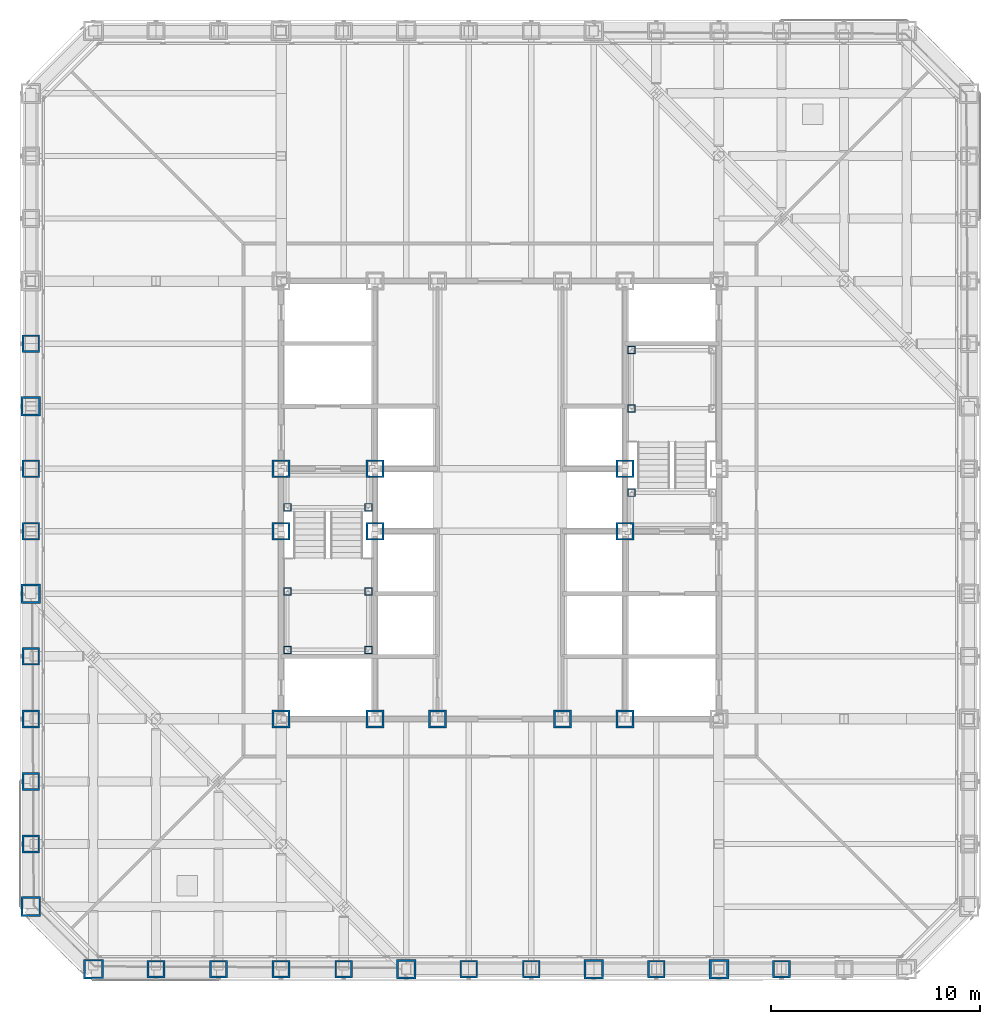
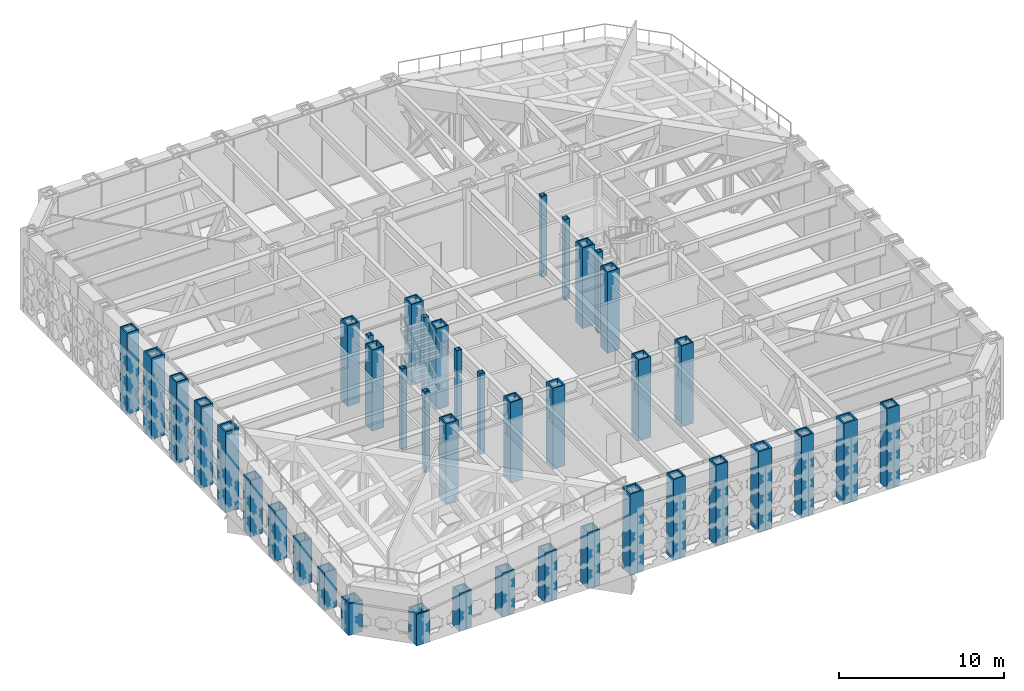
# One storey, part 1 of 31: 42 columns.
"""IFC4 building model written with IfcOpenShell, lengths in metres."""

from ifc_helpers import new_model, si_unit, direction, frame, origin, origin_2d, place, context, subcontext, project, spatial, hollow_rectangle, extrude, material, material_profile, profile_set, type_object, element, save


model = new_model("IFC4")

# Units and contexts
model_context = context("Model", 3, precision=1e-05, world=origin(), true_north=direction((0.0, 1.0)))
body_context = subcontext(model_context, "Body", "Model", "MODEL_VIEW")
ifc_project = project(units=[si_unit("LENGTHUNIT", "METRE"), si_unit("AREAUNIT", "SQUARE_METRE"), si_unit("VOLUMEUNIT", "CUBIC_METRE"), si_unit("PLANEANGLEUNIT", "RADIAN"), si_unit("MASSUNIT", "GRAM", prefix="KILO")], contexts=[model_context])

# Site, building, storey
site_placement = place(None, origin())
site = spatial("IfcSite", under=ifc_project, at=site_placement, CompositionType="ELEMENT")
building_placement = place(site_placement, origin())
building = spatial("IfcBuilding", under=site, at=building_placement, Name="Chuquiago Exchange Tower", CompositionType="ELEMENT")
storey_placement = place(building_placement, frame((0.0, 0.0, 96.300048828125)))
storey = spatial("IfcBuildingStorey", under=building, at=storey_placement, Name="L20", CompositionType="ELEMENT", Elevation=96.300048828125)

# Columns
ifc_material_1 = material(Name="Steel ASTM A572 Grade 50", Category="steel")
ifc_material_profile_1 = material_profile(ifc_material_1, hollow_rectangle(XDim=0.85009765625, YDim=0.85009765625, WallThickness=0.0849609375, at=origin_2d()), Name="BOX850X850X85")
ifc_profile_set_1 = profile_set([ifc_material_profile_1], Name="Steel ASTM A572 Grade 50")
column_type_1 = type_object("IfcColumnType", Name="C6 BOX850X850X85", PredefinedType="COLUMN", material=ifc_profile_set_1)
column_1_placement = place(storey_placement, frame((6.0, 0.0, 0.0), z_axis=(0.0, 0.0, 1.0), x_axis=(0.0, -1.0, 0.0)))
element("IfcColumn", 1, at=column_1_placement, inside=storey, type_object=column_type_1, Name="COL-L20-6_0", PredefinedType="COLUMN", context=body_context, shape_type="SweptSolid", body=[
    extrude(hollow_rectangle(XDim=0.85009765625, YDim=0.85009765625, WallThickness=0.0849609375, at=origin_2d()), origin(), (0.0, 0.0, 1.0), 2.79638671875),
])
column_2_placement = place(storey_placement, frame((9.0, 0.0, 0.0), z_axis=(0.0, 0.0, 1.0), x_axis=(0.0, -1.0, 0.0)))
element("IfcColumn", 2, at=column_2_placement, inside=storey, type_object=column_type_1, Name="COL-L20-9_0", PredefinedType="COLUMN", context=body_context, shape_type="SweptSolid", body=[
    extrude(hollow_rectangle(XDim=0.85009765625, YDim=0.85009765625, WallThickness=0.0849609375, at=origin_2d()), origin(), (0.0, 0.0, 1.0), 3.247314453125),
])
column_3_placement = place(storey_placement, frame((12.0, 0.0, 0.0), z_axis=(0.0, 0.0, 1.0), x_axis=(0.0, -1.0, 0.0)))
element("IfcColumn", 3, at=column_3_placement, inside=storey, type_object=column_type_1, Name="COL-L20-12_0", PredefinedType="COLUMN", context=body_context, shape_type="SweptSolid", body=[
    extrude(hollow_rectangle(XDim=0.85009765625, YDim=0.85009765625, WallThickness=0.0849609375, at=origin_2d()), origin(), (0.0, 0.0, 1.0), 3.6982421875),
])
column_4_placement = place(storey_placement, frame((15.0, 0.0, 0.0), z_axis=(0.0, 0.0, 1.0), x_axis=(0.0, -1.0, 0.0)))
element("IfcColumn", 4, at=column_4_placement, inside=storey, type_object=column_type_1, Name="COL-L20-15_0", PredefinedType="COLUMN", context=body_context, shape_type="SweptSolid", body=[
    extrude(hollow_rectangle(XDim=0.85009765625, YDim=0.85009765625, WallThickness=0.0849609375, at=origin_2d()), origin(), (0.0, 0.0, 1.0), 4.149169921875),
])
for number, where, z_axis, x_axis, name in (
    (5, (21.0, 0.0, 0.0), (0.0, 0.0, 1.0), (0.0, -1.0, 0.0), "COL-L20-21_0"),
    (6, (24.0, 0.0, 0.0), (0.0, 0.0, 1.0), (0.0, -1.0, 0.0), "COL-L20-24_0"),
    (7, (30.0, 0.0, 0.0), (0.0, 0.0, 1.0), (0.0, -1.0, 0.0), "COL-L20-30_0"),
    (8, (36.0, 0.0, 0.0), (0.0, 0.0, 1.0), (0.0, -1.0, 0.0), "COL-L20-36_0"),
    (9, (0.0, 30.0, 0.0), (0.0, 0.0, 1.0), (-1.0, 0.0, 0.0), "COL-L20-0_30"),
    (10, (0.0, 24.0, 0.0), (0.0, 0.0, 1.0), (-1.0, 0.0, 0.0), "COL-L20-0_24"),
    (11, (0.0, 21.0, 0.0), (0.0, 0.0, 1.0), (-1.0, 0.0, 0.0), "COL-L20-0_21"),
):
    element("IfcColumn", number, at=place(storey_placement, frame(where, z_axis=z_axis, x_axis=x_axis)), inside=storey, type_object=column_type_1, Name=name, PredefinedType="COLUMN", context=body_context, shape_type="SweptSolid", body=[
        extrude(hollow_rectangle(XDim=0.85009765625, YDim=0.85009765625, WallThickness=0.0849609375, at=origin_2d()), origin(), (0.0, 0.0, 1.0), 6.0),
    ])
column_5_placement = place(storey_placement, frame((0.0, 15.0, 0.0), z_axis=(0.0, 0.0, 1.0), x_axis=(-1.0, 0.0, 0.0)))
element("IfcColumn", 12, at=column_5_placement, inside=storey, type_object=column_type_1, Name="COL-L20-0_15", PredefinedType="COLUMN", context=body_context, shape_type="SweptSolid", body=[
    extrude(hollow_rectangle(XDim=0.85009765625, YDim=0.85009765625, WallThickness=0.0849609375, at=origin_2d()), origin(), (0.0, 0.0, 1.0), 4.149169921875),
])
column_6_placement = place(storey_placement, frame((0.0, 12.0, 0.0), z_axis=(0.0, 0.0, 1.0), x_axis=(-1.0, 0.0, 0.0)))
element("IfcColumn", 13, at=column_6_placement, inside=storey, type_object=column_type_1, Name="COL-L20-0_12", PredefinedType="COLUMN", context=body_context, shape_type="SweptSolid", body=[
    extrude(hollow_rectangle(XDim=0.85009765625, YDim=0.85009765625, WallThickness=0.0849609375, at=origin_2d()), origin(), (0.0, 0.0, 1.0), 3.6982421875),
])
column_7_placement = place(storey_placement, frame((0.0, 9.0, 0.0), z_axis=(0.0, 0.0, 1.0), x_axis=(-1.0, 0.0, 0.0)))
element("IfcColumn", 14, at=column_7_placement, inside=storey, type_object=column_type_1, Name="COL-L20-0_9", PredefinedType="COLUMN", context=body_context, shape_type="SweptSolid", body=[
    extrude(hollow_rectangle(XDim=0.85009765625, YDim=0.85009765625, WallThickness=0.0849609375, at=origin_2d()), origin(), (0.0, 0.0, 1.0), 3.247314453125),
])
column_8_placement = place(storey_placement, frame((0.0, 6.0, 0.0), z_axis=(0.0, 0.0, 1.0), x_axis=(-1.0, 0.0, 0.0)))
element("IfcColumn", 15, at=column_8_placement, inside=storey, type_object=column_type_1, Name="COL-L20-0_6", PredefinedType="COLUMN", context=body_context, shape_type="SweptSolid", body=[
    extrude(hollow_rectangle(XDim=0.85009765625, YDim=0.85009765625, WallThickness=0.0849609375, at=origin_2d()), origin(), (0.0, 0.0, 1.0), 2.79638671875),
])
ifc_material_2 = material(Name="Steel ASTM A572 Grade 50", Category="steel")
ifc_material_profile_2 = material_profile(ifc_material_2, hollow_rectangle(XDim=0.85009765625, YDim=0.85009765625, WallThickness=0.0849609375, at=origin_2d()), Name="BOX850X850X85")
ifc_profile_set_2 = profile_set([ifc_material_profile_2], Name="Steel ASTM A572 Grade 50")
column_type_2 = type_object("IfcColumnType", Name="CC2 BOX850X850X85", PredefinedType="COLUMN", material=ifc_profile_set_2)
for number, where, z_axis, x_axis, name in (
    (16, (16.5, 12.0, 0.0), (0.0, 0.0, 1.0), (1.0, 0.0, 0.0), "CCOL-L20-16.5_12"),
    (17, (19.5, 12.0, 0.0), (0.0, 0.0, 1.0), (1.0, 0.0, 0.0), "CCOL-L20-19.5_12"),
    (18, (25.5, 12.0, 0.0), (0.0, 0.0, 1.0), (1.0, 0.0, 0.0), "CCOL-L20-25.5_12"),
    (19, (28.5, 12.0, 0.0), (0.0, 0.0, 1.0), (1.0, 0.0, 0.0), "CCOL-L20-28.5_12"),
    (20, (12.0, 21.0, 0.0), (0.0, 0.0, 1.0), (1.0, 0.0, 0.0), "CCOL-L20-12_21"),
    (21, (12.0, 24.0, 0.0), (0.0, 0.0, 1.0), (1.0, 0.0, 0.0), "CCOL-L20-12_24"),
    (22, (16.5, 21.0, 0.0), (0.0, 0.0, 1.0), (1.0, 0.0, 0.0), "CCOL-L20-16.5_21"),
    (23, (16.5, 24.0, 0.0), (0.0, 0.0, 1.0), (1.0, 0.0, 0.0), "CCOL-L20-16.5_24"),
    (24, (28.5, 21.0, 0.0), (0.0, 0.0, 1.0), (1.0, 0.0, 0.0), "CCOL-L20-28.5_21"),
    (25, (28.5, 24.0, 0.0), (0.0, 0.0, 1.0), (1.0, 0.0, 0.0), "CCOL-L20-28.5_24"),
):
    element("IfcColumn", number, at=place(storey_placement, frame(where, z_axis=z_axis, x_axis=x_axis)), inside=storey, type_object=column_type_2, Name=name, PredefinedType="COLUMN", context=body_context, shape_type="SweptSolid", body=[
        extrude(hollow_rectangle(XDim=0.85009765625, YDim=0.85009765625, WallThickness=0.0849609375, at=origin_2d()), origin(), (0.0, 0.0, 1.0), 6.0),
    ])
ifc_material_3 = material(Name="Steel ASTM A572 Grade 50", Category="steel")
ifc_material_profile_3 = material_profile(ifc_material_3, hollow_rectangle(XDim=0.85009765625, YDim=0.85009765625, WallThickness=0.0849609375, at=origin_2d()), Name="BOX850X850X85")
ifc_profile_set_3 = profile_set([ifc_material_profile_3], Name="Steel ASTM A572 Grade 50")
column_type_3 = type_object("IfcColumnType", Name="CC6 BOX850X850X85", PredefinedType="COLUMN", material=ifc_profile_set_3)
column_9_placement = place(storey_placement, frame((12.0, 12.0, 0.0), z_axis=(0.0, 0.0, 1.0), x_axis=(1.0, 0.0, 0.0)))
element("IfcColumn", 26, at=column_9_placement, inside=storey, type_object=column_type_3, Name="CCOL-L20-12_12", PredefinedType="COLUMN", context=body_context, shape_type="SweptSolid", body=[
    extrude(hollow_rectangle(XDim=0.85009765625, YDim=0.85009765625, WallThickness=0.0849609375, at=origin_2d()), origin(), (0.0, 0.0, 1.0), 6.0),
])
ifc_material_4 = material(Name="Steel ASTM A572 Grade 50", Category="steel")
ifc_material_profile_4 = material_profile(ifc_material_4, hollow_rectangle(XDim=0.949951171875, YDim=0.949951171875, WallThickness=0.094970703125, at=origin_2d()), Name="BOX950X950X95")
ifc_profile_set_4 = profile_set([ifc_material_profile_4], Name="Steel ASTM A572 Grade 50")
column_type_4 = type_object("IfcColumnType", Name="CN1 BOX950X950X95", PredefinedType="COLUMN", material=ifc_profile_set_4)
for number, where, z_axis, x_axis, name in (
    (27, (3.0, 0.0, 0.0), (0.0, 0.0, 1.0), (0.0, -1.0, 0.0), "COL-L20-3_0"),
    (28, (0.0, 3.0, 0.0), (0.0, 0.0, 1.0), (-1.0, 0.0, 0.0), "COL-L20-0_3"),
):
    element("IfcColumn", number, at=place(storey_placement, frame(where, z_axis=z_axis, x_axis=x_axis)), inside=storey, type_object=column_type_4, Name=name, PredefinedType="COLUMN", context=body_context, shape_type="SweptSolid", body=[
        extrude(hollow_rectangle(XDim=0.949951171875, YDim=0.949951171875, WallThickness=0.094970703125, at=origin_2d()), origin(), (0.0, 0.0, 1.0), 2.345458984375),
    ])
ifc_material_5 = material(Name="Steel ASTM A572 Grade 42", Category="steel")
ifc_material_profile_5 = material_profile(ifc_material_5, hollow_rectangle(XDim=0.949951171875, YDim=0.949951171875, WallThickness=0.110107421875, at=origin_2d()), Name="BOX950X950X110")
ifc_profile_set_5 = profile_set([ifc_material_profile_5], Name="Steel ASTM A572 Grade 42")
column_type_5 = type_object("IfcColumnType", Name="CT1 BOX950X950X110", PredefinedType="COLUMN", material=ifc_profile_set_5)
for number, where, z_axis, x_axis, name in (
    (29, (18.0, 0.0, 0.0), (0.0, 0.0, 1.0), (0.0, -1.0, 0.0), "COL-L20-18_0"),
    (30, (27.0, 0.0, 0.0), (0.0, 0.0, 1.0), (0.0, -1.0, 0.0), "COL-L20-27_0"),
    (31, (33.0, 0.0, 0.0), (0.0, 0.0, 1.0), (0.0, -1.0, 0.0), "COL-L20-33_0"),
    (32, (0.0, 27.0, 0.0), (0.0, 0.0, 1.0), (-1.0, 0.0, 0.0), "COL-L20-0_27"),
    (33, (0.0, 18.0, 0.0), (0.0, 0.0, 1.0), (-1.0, 0.0, 0.0), "COL-L20-0_18"),
):
    element("IfcColumn", number, at=place(storey_placement, frame(where, z_axis=z_axis, x_axis=x_axis)), inside=storey, type_object=column_type_5, Name=name, PredefinedType="COLUMN", context=body_context, shape_type="SweptSolid", body=[
        extrude(hollow_rectangle(XDim=0.949951171875, YDim=0.949951171875, WallThickness=0.110107421875, at=origin_2d()), origin(), (0.0, 0.0, 1.0), 6.0),
    ])
ifc_material_6 = material(Name="Steel ASTM A500 Grade C", Category="steel")
ifc_material_profile_6 = material_profile(ifc_material_6, hollow_rectangle(XDim=0.355712890625, YDim=0.355712890625, WallThickness=0.0146484375, at=origin_2d()), Name="HSS14X14X5/8")
ifc_profile_set_6 = profile_set([ifc_material_profile_6], Name="Steel ASTM A500 Grade C")
column_type_6 = type_object("IfcColumnType", Name="PT2 HSS14X14X5/8", PredefinedType="COLUMN", material=ifc_profile_set_6)
for number, where, z_axis, x_axis, name in (
    (34, (12.31005859375, 15.31005859375, 0.0), (0.0, 0.0, 1.0), (1.0, 0.0, 0.0), "Stair ST1 L20 landing post"),
    (35, (16.18994140625, 15.31005859375, 0.0), (0.0, 0.0, 1.0), (1.0, 0.0, 0.0), "Stair ST1 L20 landing post"),
    (36, (12.31005859375, 18.110107421875, 0.0), (0.0, 0.0, 1.0), (1.0, 0.0, 0.0), "Stair ST1 L20 landing post"),
    (37, (16.18994140625, 18.110107421875, 0.0), (0.0, 0.0, 1.0), (1.0, 0.0, 0.0), "Stair ST1 L20 landing post"),
    (38, (12.31005859375, 22.14990234375, 0.0), (0.0, 0.0, 1.0), (1.0, 0.0, 0.0), "Stair ST1 L20 landing post"),
    (39, (16.18994140625, 22.14990234375, 0.0), (0.0, 0.0, 1.0), (1.0, 0.0, 0.0), "Stair ST1 L20 landing post"),
    (40, (28.81005859375, 29.68994140625, 0.0), (0.0, 0.0, 1.0), (1.0, 0.0, 0.0), "Stair ST2 L20 landing post"),
    (41, (28.81005859375, 26.889892578125, 0.0), (0.0, 0.0, 1.0), (1.0, 0.0, 0.0), "Stair ST2 L20 landing post"),
    (42, (28.81005859375, 22.85009765625, 0.0), (0.0, 0.0, 1.0), (1.0, 0.0, 0.0), "Stair ST2 L20 landing post"),
):
    element("IfcColumn", number, at=place(storey_placement, frame(where, z_axis=z_axis, x_axis=x_axis)), inside=storey, type_object=column_type_6, Name=name, PredefinedType="COLUMN", context=body_context, shape_type="SweptSolid", body=[
        extrude(hollow_rectangle(XDim=0.355712890625, YDim=0.355712890625, WallThickness=0.0146484375, at=origin_2d()), origin(), (0.0, 0.0, 1.0), 6.0),
    ])

save(model, "model.ifc")
